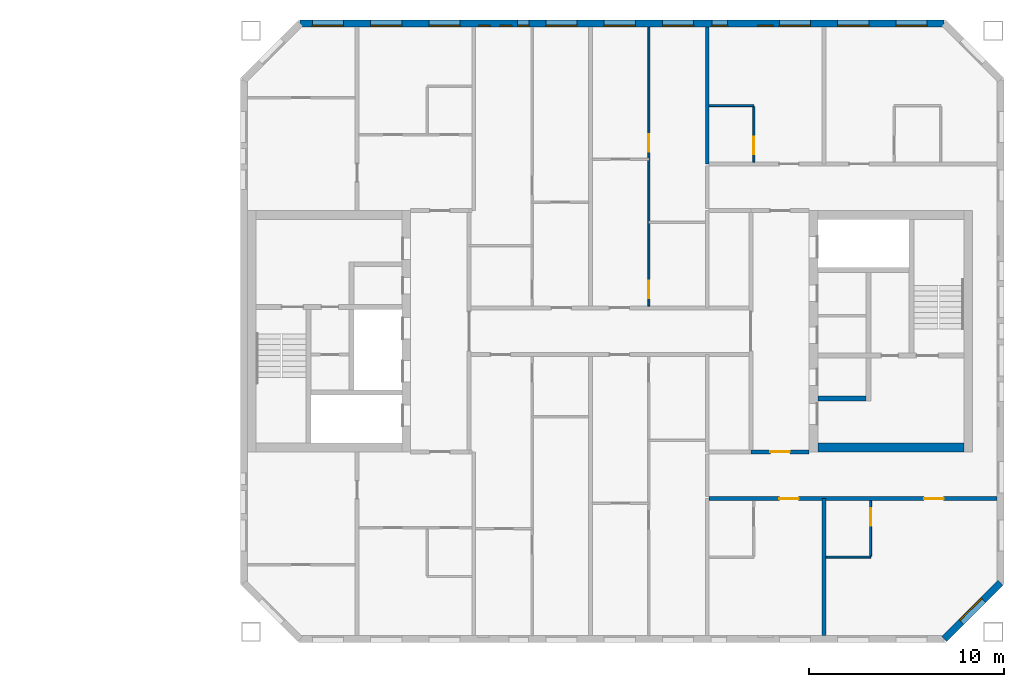
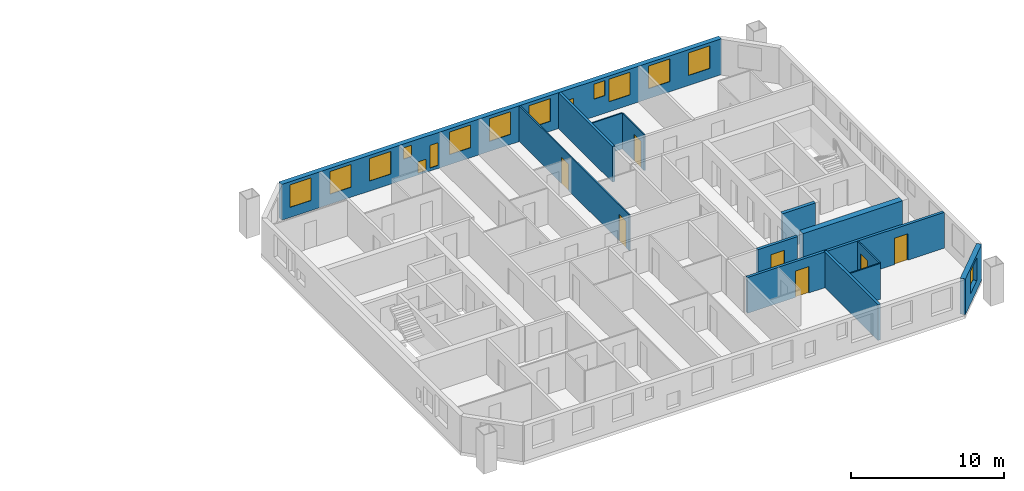
# One storey, part 11 of 15: 15 windows, 13 walls, 7 doors, 22 openings.
"""IFC4 building model written with IfcOpenShell, lengths in metres."""

import ifcopenshell
import ifcopenshell.guid

model = None  # the IFC model being written
_history = None  # IfcOwnerHistory: only IFC2X3 demands one
_inside = {}  # id of a spatial element -> (the spatial element, [elements in it])
_under = {}  # id of a project, library or spatial element -> (it, [spatial elements below it])
_declared = {}  # id of a project -> (the project, [libraries it declares])
_typed = {}  # id of a type object -> (the type object, [elements of that type])
_made_of = {}  # id of a material, layer set ... -> (it, [elements and type objects made of it])


def new_model(schema):
    """Start an empty IFC model of exactly this schema.

    Asked for "IFC4X3", IfcOpenShell would pick the latest addendum, in which some entities
    have other attributes; the version numbers below select the first issue.
    IFC2X3 requires an IfcOwnerHistory on every rooted entity: one is made here for all.
    """
    global model, _history
    if schema == "IFC4X3":
        model = ifcopenshell.file(schema_version=(4, 3, 0, 0))
    else:
        model = ifcopenshell.file(schema=schema)
    _inside.clear()
    _under.clear()
    _declared.clear()
    _typed.clear()
    _made_of.clear()
    _history = None
    if model.schema == "IFC2X3":
        org = make("IfcOrganization", Name="unknown")
        user = make(
            "IfcPersonAndOrganization",
            ThePerson=make("IfcPerson", FamilyName="unknown"),
            TheOrganization=org,
        )
        app = make(
            "IfcApplication",
            ApplicationDeveloper=org,
            Version="unknown",
            ApplicationFullName="unknown",
            ApplicationIdentifier="unknown",
        )
        _history = make(
            "IfcOwnerHistory",
            OwningUser=user,
            OwningApplication=app,
            ChangeAction="ADDED",
            CreationDate=0,
        )
    return model


def make(cls, **values):
    """One entity of the class cls with the attributes given. An attribute that is None is left unset."""
    return model.create_entity(
        cls, **{name: value for name, value in values.items() if value is not None}
    )


def rooted(cls, **values):
    """An entity with a GlobalId (a new one), such as an element, a storey or a relation."""
    return make(cls, GlobalId=ifcopenshell.guid.new(), OwnerHistory=_history, **values)


def si_unit(unit_type, name, prefix=None):
    """IfcSIUnit, for example si_unit("LENGTHUNIT", "METRE", prefix="MILLI")."""
    return make("IfcSIUnit", UnitType=unit_type, Prefix=prefix, Name=name)


def assignment(units):
    """IfcUnitAssignment: the units of a project."""
    return None if units is None else make("IfcUnitAssignment", Units=units)


def point(xyz):
    """IfcCartesianPoint."""
    return None if xyz is None else make("IfcCartesianPoint", Coordinates=xyz)


def direction(xyz):
    """IfcDirection."""
    return None if xyz is None else make("IfcDirection", DirectionRatios=xyz)


def frame(location, z_axis=None, x_axis=None):
    """IfcAxis2Placement3D, a coordinate frame: its origin and axes. An axis left out is left unset."""
    return make(
        "IfcAxis2Placement3D",
        Location=point(location),
        Axis=direction(z_axis),
        RefDirection=direction(x_axis),
    )


def frame_2d(location, x_axis=None):
    """IfcAxis2Placement2D, a coordinate frame in the plane: its origin and x axis."""
    return make(
        "IfcAxis2Placement2D", Location=point(location), RefDirection=direction(x_axis)
    )


def origin():
    """The frame at (0, 0, 0) with its axes left unset."""
    return frame((0.0, 0.0, 0.0))


def place(relative_to, where):
    """IfcLocalPlacement: puts the frame where relative to a parent placement (None: the world)."""
    return make(
        "IfcLocalPlacement", PlacementRelTo=relative_to, RelativePlacement=where
    )


def context(
    kind, dimensions, precision=None, world=None, true_north=None, identifier=None
):
    """IfcGeometricRepresentationContext, for example the 3D "Model" context."""
    return make(
        "IfcGeometricRepresentationContext",
        ContextIdentifier=identifier,
        ContextType=kind,
        CoordinateSpaceDimension=dimensions,
        Precision=precision,
        WorldCoordinateSystem=world,
        TrueNorth=true_north,
    )


def subcontext(parent, identifier, kind, view, scale=None):
    """IfcGeometricRepresentationSubContext, for example "Body" below "Model"."""
    return make(
        "IfcGeometricRepresentationSubContext",
        ContextIdentifier=identifier,
        ContextType=kind,
        ParentContext=parent,
        TargetScale=scale,
        TargetView=view,
    )


def project(units=None, contexts=None):
    """IfcProject with its units and contexts."""
    return rooted(
        "IfcProject",
        Name="project",
        RepresentationContexts=contexts,
        UnitsInContext=assignment(units),
    )


def spatial(cls, under=None, at=None, **own):
    """A site, building, storey or space (cls), placed at a placement, below another one or the project."""
    s = rooted(cls, ObjectPlacement=at, **own)
    if under is not None:
        _under.setdefault(under.id(), (under, []))[1].append(s)
    return s


def profile(cls, at=None, kind="AREA", **sizes):
    """A parametric profile (cls). Its sizes go by their IFC names, for example OverallWidth=200.0."""
    return make(cls, ProfileType=kind, Position=at, **sizes)


def rectangle(**sizes):
    """IfcRectangleProfileDef."""
    return profile("IfcRectangleProfileDef", **sizes)


def extrude(swept, where, along, depth):
    """IfcExtrudedAreaSolid: the profile swept, set in the frame where, extruded along a direction by depth."""
    return make(
        "IfcExtrudedAreaSolid",
        SweptArea=swept,
        Position=where,
        ExtrudedDirection=direction(along),
        Depth=depth,
    )


def shape(context_of_items, identifier, shape_type, items):
    """IfcShapeRepresentation: the items that make up one representation, for example the "Body"."""
    return make(
        "IfcShapeRepresentation",
        ContextOfItems=context_of_items,
        RepresentationIdentifier=identifier,
        RepresentationType=shape_type,
        Items=items,
    )


def material(Name=None, Category=None):
    """IfcMaterial."""
    return make("IfcMaterial", Name=Name, Category=Category)


def layer(
    of_material, thickness, ventilated=None, Name=None, Category=None, Priority=None
):
    """IfcMaterialLayer: one layer of a wall or slab, of a material (None: an air gap)."""
    return make(
        "IfcMaterialLayer",
        Material=of_material,
        LayerThickness=thickness,
        IsVentilated=ventilated,
        Name=Name,
        Category=Category,
        Priority=Priority,
    )


def layer_set(layers, Name=None):
    """IfcMaterialLayerSet."""
    return make("IfcMaterialLayerSet", MaterialLayers=layers, LayerSetName=Name)


def made_of(thing, what):
    """Note that an element or type object is made of a material, layer set ...; save() writes the relation."""
    if what is not None:
        _made_of.setdefault(what.id(), (what, []))[1].append(thing)
    return thing


def type_object(cls, material=None, **own):
    """A type object (cls), such as IfcWallType, which elements share."""
    return made_of(rooted(cls, **own), material)


def element(
    cls,
    number,
    at=None,
    inside=None,
    cuts=None,
    type_object=None,
    material=None,
    context=None,
    identifier="Body",
    shape_type=None,
    held_by="IfcProductDefinitionShape",
    body=None,
    shapes=None,
    **own,
):
    """One element of the class cls, such as IfcWall. Its Tag is "e" and its number.

    at: its placement. inside: the storey or other place that contains it. cuts: it is an
    opening in that element (IfcRelVoidsElement). A single representation is given by context,
    identifier, shape_type and body (its items); several are given by shapes. held_by: the class
    of the entity that holds the representations. save() writes the other relations.
    """
    e = rooted(cls, Tag="e%d" % number, ObjectPlacement=at, **own)
    if body is not None:
        shapes = [shape(context, identifier, shape_type, body)]
    if shapes is not None:
        e.Representation = make(held_by, Representations=shapes)
    if inside is not None:
        _inside.setdefault(inside.id(), (inside, []))[1].append(e)
    if cuts is not None:
        rooted(
            "IfcRelVoidsElement", RelatingBuildingElement=cuts, RelatedOpeningElement=e
        )
    if type_object is not None:
        _typed.setdefault(type_object.id(), (type_object, []))[1].append(e)
    return made_of(e, material)


def fill(opening, filler):
    """IfcRelFillsElement: the door or window that sits in an opening."""
    return rooted(
        "IfcRelFillsElement",
        RelatingOpeningElement=opening,
        RelatedBuildingElement=filler,
    )


def aggregate(whole, parts):
    """IfcRelAggregates: a whole, such as a stair, and the parts it consists of."""
    return rooted("IfcRelAggregates", RelatingObject=whole, RelatedObjects=parts)


def save(model, path):
    """Write the relations noted so far, then the file.

    IfcRelAggregates (storeys below a building ...), IfcRelContainedInSpatialStructure (elements
    in a storey), IfcRelDefinesByType, IfcRelAssociatesMaterial and IfcRelDeclares: one each for
    every whole, place, type object, material and project.
    """
    for whole, parts in _under.values():
        aggregate(whole, parts)
    for where, things in _inside.values():
        rooted(
            "IfcRelContainedInSpatialStructure",
            RelatedElements=things,
            RelatingStructure=where,
        )
    for kind, things in _typed.values():
        rooted("IfcRelDefinesByType", RelatedObjects=things, RelatingType=kind)
    for what, things in _made_of.values():
        rooted("IfcRelAssociatesMaterial", RelatedObjects=things, RelatingMaterial=what)
    for by, libraries in _declared.values():
        rooted("IfcRelDeclares", RelatingContext=by, RelatedDefinitions=libraries)
    model.write(path)


model = new_model("IFC4")

# Units and contexts
model_context = context("Model", 3, precision=1e-05, world=origin(), true_north=direction((0.0, 1.0)))
body_context = subcontext(model_context, "Body", "Model", "MODEL_VIEW")
ifc_project = project(units=[si_unit("LENGTHUNIT", "METRE"), si_unit("AREAUNIT", "SQUARE_METRE"), si_unit("VOLUMEUNIT", "CUBIC_METRE"), si_unit("PLANEANGLEUNIT", "RADIAN"), si_unit("MASSUNIT", "GRAM", prefix="KILO")], contexts=[model_context])

# Site, building, storey
site_placement = place(None, origin())
site = spatial("IfcSite", under=ifc_project, at=site_placement, CompositionType="ELEMENT")
building_placement = place(site_placement, origin())
building = spatial("IfcBuilding", under=site, at=building_placement, Name="Tuart Gate Housing", CompositionType="ELEMENT")
storey_placement = place(building_placement, frame((0.0, 0.0, 185.10009765625)))
storey = spatial("IfcBuildingStorey", under=building, at=storey_placement, Name="L52", CompositionType="ELEMENT", Elevation=185.10009765625)

# Wall, opening, window
ifc_material_1 = material(Name="Brick", Category="masonry")
ifc_layer_1 = layer(ifc_material_1, 0.360107421875)
ifc_layer_set_1 = layer_set([ifc_layer_1], Name="Brick pier and spandrel wall 360")
wall_type_1 = type_object("IfcWallType", Name="Brick pier and spandrel wall 360", PredefinedType="STANDARD", material=ifc_layer_set_1)
wall_1_placement = place(storey_placement, frame((167.17529296875, 54.179931640625, 0.0), z_axis=(0.0, 0.0, 1.0), x_axis=(0.707106781187, 0.707106781187, 0.0)))
wall_1 = element("IfcWall", 1, at=wall_1_placement, inside=storey, type_object=wall_type_1, Name="External wall B-SE L52", PredefinedType="STANDARD", context=body_context, shape_type="SweptSolid", body=[
    extrude(rectangle(XDim=4.09375, YDim=0.360107421875, at=frame_2d((2.046875, 0.0))), origin(), (0.0, 0.0, 1.0), 2.849853515625),
])
opening_1_placement = place(wall_1_placement, frame((1.2470703125, 0.0, 0.800048828125)))
opening_1 = element("IfcOpeningElement", 2, at=opening_1_placement, cuts=wall_1, Name="Opening W1", PredefinedType="OPENING", context=body_context, shape_type="SweptSolid", body=[
    extrude(rectangle(XDim=1.60009765625, YDim=1.800048828125, at=frame_2d((0.800048828125, 0.89990234375))), frame((0.0, 0.18994140625, 0.0), z_axis=(0.0, -1.0, 0.0), x_axis=(1.0, 0.0, 0.0)), (0.0, 0.0, 1.0), 0.380126953125),
])
ifc_material_2 = material(Name="Aluminium frame with clear glass", Category="aluminium")
window_type_1 = type_object("IfcWindowType", Name="Punched window 1600 x 1800", PartitioningType="SINGLE_PANEL", PredefinedType="WINDOW", material=ifc_material_2)
window_1_placement = place(opening_1_placement, origin())
window_1 = element("IfcWindow", 3, at=window_1_placement, inside=storey, type_object=window_type_1, Name="Window W1", OverallHeight=1.800048828125, OverallWidth=1.60009765625, PartitioningType="SINGLE_PANEL", PredefinedType="WINDOW", context=body_context, shape_type="SweptSolid", body=[
    extrude(rectangle(XDim=1.60009765625, YDim=1.800048828125, at=frame_2d((0.800048828125, 0.89990234375))), frame((0.0, 0.150146484375, 0.0), z_axis=(0.0, -1.0, 0.0), x_axis=(1.0, 0.0, 0.0)), (0.0, 0.0, 1.0), 0.06005859375),
])
fill(opening_1, window_1)

# Wall, openings, windows
wall_2_placement = place(storey_placement, frame((167.17529296875, 85.820068359375, 0.0), z_axis=(0.0, 0.0, 1.0), x_axis=(-1.0, 0.0, 0.0)))
wall_2 = element("IfcWall", 4, at=wall_2_placement, inside=storey, type_object=wall_type_1, Name="External wall B-N L52", PredefinedType="STANDARD", context=body_context, shape_type="SweptSolid", body=[
    extrude(rectangle(XDim=33.100830078125, YDim=0.360107421875, at=frame_2d((16.55029296875, 0.0))), origin(), (0.0, 0.0, 1.0), 2.849853515625),
])
opening_2_placement = place(wall_2_placement, frame((0.87548828125, 0.0, 0.800048828125)))
opening_2 = element("IfcOpeningElement", 5, at=opening_2_placement, cuts=wall_2, Name="Opening W1", PredefinedType="OPENING", context=body_context, shape_type="SweptSolid", body=[
    extrude(rectangle(XDim=1.60009765625, YDim=1.800048828125, at=frame_2d((0.800048828125, 0.89990234375))), frame((0.0, 0.18994140625, 0.0), z_axis=(0.0, -1.0, 0.0), x_axis=(1.0, 0.0, 0.0)), (0.0, 0.0, 1.0), 0.380126953125),
])
opening_3_placement = place(wall_2_placement, frame((3.87548828125, 0.0, 0.800048828125)))
opening_3 = element("IfcOpeningElement", 6, at=opening_3_placement, cuts=wall_2, Name="Opening W1", PredefinedType="OPENING", context=body_context, shape_type="SweptSolid", body=[
    extrude(rectangle(XDim=1.60009765625, YDim=1.800048828125, at=frame_2d((0.800048828125, 0.89990234375))), frame((0.0, 0.18994140625, 0.0), z_axis=(0.0, -1.0, 0.0), x_axis=(1.0, 0.0, 0.0)), (0.0, 0.0, 1.0), 0.380126953125),
])
opening_4_placement = place(wall_2_placement, frame((6.87548828125, 0.0, 0.800048828125)))
opening_4 = element("IfcOpeningElement", 7, at=opening_4_placement, cuts=wall_2, Name="Opening W1", PredefinedType="OPENING", context=body_context, shape_type="SweptSolid", body=[
    extrude(rectangle(XDim=1.60009765625, YDim=1.800048828125, at=frame_2d((0.800048828125, 0.89990234375))), frame((0.0, 0.18994140625, 0.0), z_axis=(0.0, -1.0, 0.0), x_axis=(1.0, 0.0, 0.0)), (0.0, 0.0, 1.0), 0.380126953125),
])
opening_5_placement = place(wall_2_placement, frame((8.775390625, 0.0, 1.39990234375)))
opening_5 = element("IfcOpeningElement", 8, at=opening_5_placement, cuts=wall_2, Name="Opening W1P", PredefinedType="OPENING", context=body_context, shape_type="SweptSolid", body=[
    extrude(rectangle(XDim=0.800048828125, YDim=1.199951171875, at=frame_2d((0.39990234375, 0.60009765625))), frame((0.0, 0.18994140625, 0.0), z_axis=(0.0, -1.0, 0.0), x_axis=(1.0, 0.0, 0.0)), (0.0, 0.0, 1.0), 0.380126953125),
])
opening_6_placement = place(wall_2_placement, frame((12.87548828125, 0.0, 0.800048828125)))
opening_6 = element("IfcOpeningElement", 9, at=opening_6_placement, cuts=wall_2, Name="Opening W1", PredefinedType="OPENING", context=body_context, shape_type="SweptSolid", body=[
    extrude(rectangle(XDim=1.60009765625, YDim=1.800048828125, at=frame_2d((0.800048828125, 0.89990234375))), frame((0.0, 0.18994140625, 0.0), z_axis=(0.0, -1.0, 0.0), x_axis=(1.0, 0.0, 0.0)), (0.0, 0.0, 1.0), 0.380126953125),
])
opening_7_placement = place(wall_2_placement, frame((15.87548828125, 0.0, 0.800048828125)))
opening_7 = element("IfcOpeningElement", 10, at=opening_7_placement, cuts=wall_2, Name="Opening W1", PredefinedType="OPENING", context=body_context, shape_type="SweptSolid", body=[
    extrude(rectangle(XDim=1.60009765625, YDim=1.800048828125, at=frame_2d((0.800048828125, 0.89990234375))), frame((0.0, 0.18994140625, 0.0), z_axis=(0.0, -1.0, 0.0), x_axis=(1.0, 0.0, 0.0)), (0.0, 0.0, 1.0), 0.380126953125),
])
opening_8_placement = place(wall_2_placement, frame((18.87548828125, 0.0, 0.800048828125)))
opening_8 = element("IfcOpeningElement", 11, at=opening_8_placement, cuts=wall_2, Name="Opening W1", PredefinedType="OPENING", context=body_context, shape_type="SweptSolid", body=[
    extrude(rectangle(XDim=1.60009765625, YDim=1.800048828125, at=frame_2d((0.800048828125, 0.89990234375))), frame((0.0, 0.18994140625, 0.0), z_axis=(0.0, -1.0, 0.0), x_axis=(1.0, 0.0, 0.0)), (0.0, 0.0, 1.0), 0.380126953125),
])
opening_9_placement = place(wall_2_placement, frame((21.325439453125, 0.0, 0.25)))
opening_9 = element("IfcOpeningElement", 12, at=opening_9_placement, cuts=wall_2, Name="Opening W1E", PredefinedType="OPENING", context=body_context, shape_type="SweptSolid", body=[
    extrude(rectangle(XDim=0.60009765625, YDim=1.800048828125, at=frame_2d((0.300048828125, 0.89990234375))), frame((0.0, 0.18994140625, 0.0), z_axis=(0.0, -1.0, 0.0), x_axis=(1.0, 0.0, 0.0)), (0.0, 0.0, 1.0), 0.380126953125),
])
opening_10_placement = place(wall_2_placement, frame((24.87548828125, 0.0, 0.800048828125)))
opening_10 = element("IfcOpeningElement", 13, at=opening_10_placement, cuts=wall_2, Name="Opening W1", PredefinedType="OPENING", context=body_context, shape_type="SweptSolid", body=[
    extrude(rectangle(XDim=1.60009765625, YDim=1.800048828125, at=frame_2d((0.800048828125, 0.89990234375))), frame((0.0, 0.18994140625, 0.0), z_axis=(0.0, -1.0, 0.0), x_axis=(1.0, 0.0, 0.0)), (0.0, 0.0, 1.0), 0.380126953125),
])
opening_11_placement = place(wall_2_placement, frame((27.87548828125, 0.0, 0.800048828125)))
opening_11 = element("IfcOpeningElement", 14, at=opening_11_placement, cuts=wall_2, Name="Opening W1", PredefinedType="OPENING", context=body_context, shape_type="SweptSolid", body=[
    extrude(rectangle(XDim=1.60009765625, YDim=1.800048828125, at=frame_2d((0.800048828125, 0.89990234375))), frame((0.0, 0.18994140625, 0.0), z_axis=(0.0, -1.0, 0.0), x_axis=(1.0, 0.0, 0.0)), (0.0, 0.0, 1.0), 0.380126953125),
])
opening_12_placement = place(wall_2_placement, frame((30.87548828125, 0.0, 0.800048828125)))
opening_12 = element("IfcOpeningElement", 15, at=opening_12_placement, cuts=wall_2, Name="Opening W1", PredefinedType="OPENING", context=body_context, shape_type="SweptSolid", body=[
    extrude(rectangle(XDim=1.60009765625, YDim=1.800048828125, at=frame_2d((0.800048828125, 0.89990234375))), frame((0.0, 0.18994140625, 0.0), z_axis=(0.0, -1.0, 0.0), x_axis=(1.0, 0.0, 0.0)), (0.0, 0.0, 1.0), 0.380126953125),
])
opening_13_placement = place(wall_2_placement, frame((11.12548828125, 0.0, 0.800048828125)))
opening_13 = element("IfcOpeningElement", 16, at=opening_13_placement, cuts=wall_2, Name="Opening W1P", PredefinedType="OPENING", context=body_context, shape_type="SweptSolid", body=[
    extrude(rectangle(XDim=0.800048828125, YDim=1.199951171875, at=frame_2d((0.39990234375, 0.60009765625))), frame((0.0, 0.18994140625, 0.0), z_axis=(0.0, -1.0, 0.0), x_axis=(1.0, 0.0, 0.0)), (0.0, 0.0, 1.0), 0.380126953125),
])
opening_14_placement = place(wall_2_placement, frame((22.225341796875, 0.0, 0.14990234375)))
opening_14 = element("IfcOpeningElement", 17, at=opening_14_placement, cuts=wall_2, Name="Opening W1W", PredefinedType="OPENING", context=body_context, shape_type="SweptSolid", body=[
    extrude(rectangle(XDim=0.60009765625, YDim=0.89990234375, at=frame_2d((0.300048828125, 0.449951171875))), frame((0.0, 0.18994140625, 0.0), z_axis=(0.0, -1.0, 0.0), x_axis=(1.0, 0.0, 0.0)), (0.0, 0.0, 1.0), 0.380126953125),
])
opening_15_placement = place(wall_2_placement, frame((23.325439453125, 0.0, 1.64990234375)))
opening_15 = element("IfcOpeningElement", 18, at=opening_15_placement, cuts=wall_2, Name="Opening W1W", PredefinedType="OPENING", context=body_context, shape_type="SweptSolid", body=[
    extrude(rectangle(XDim=0.60009765625, YDim=0.89990234375, at=frame_2d((0.300048828125, 0.449951171875))), frame((0.0, 0.18994140625, 0.0), z_axis=(0.0, -1.0, 0.0), x_axis=(1.0, 0.0, 0.0)), (0.0, 0.0, 1.0), 0.380126953125),
])
window_2_placement = place(opening_2_placement, origin())
window_2 = element("IfcWindow", 19, at=window_2_placement, inside=storey, type_object=window_type_1, Name="Window W1", OverallHeight=1.800048828125, OverallWidth=1.60009765625, PartitioningType="SINGLE_PANEL", PredefinedType="WINDOW", context=body_context, shape_type="SweptSolid", body=[
    extrude(rectangle(XDim=1.60009765625, YDim=1.800048828125, at=frame_2d((0.800048828125, 0.89990234375))), frame((0.0, 0.150146484375, 0.0), z_axis=(0.0, -1.0, 0.0), x_axis=(1.0, 0.0, 0.0)), (0.0, 0.0, 1.0), 0.06005859375),
])
fill(opening_2, window_2)
window_3_placement = place(opening_3_placement, origin())
window_3 = element("IfcWindow", 20, at=window_3_placement, inside=storey, type_object=window_type_1, Name="Window W1", OverallHeight=1.800048828125, OverallWidth=1.60009765625, PartitioningType="SINGLE_PANEL", PredefinedType="WINDOW", context=body_context, shape_type="SweptSolid", body=[
    extrude(rectangle(XDim=1.60009765625, YDim=1.800048828125, at=frame_2d((0.800048828125, 0.89990234375))), frame((0.0, 0.150146484375, 0.0), z_axis=(0.0, -1.0, 0.0), x_axis=(1.0, 0.0, 0.0)), (0.0, 0.0, 1.0), 0.06005859375),
])
fill(opening_3, window_3)
window_4_placement = place(opening_4_placement, origin())
window_4 = element("IfcWindow", 21, at=window_4_placement, inside=storey, type_object=window_type_1, Name="Window W1", OverallHeight=1.800048828125, OverallWidth=1.60009765625, PartitioningType="SINGLE_PANEL", PredefinedType="WINDOW", context=body_context, shape_type="SweptSolid", body=[
    extrude(rectangle(XDim=1.60009765625, YDim=1.800048828125, at=frame_2d((0.800048828125, 0.89990234375))), frame((0.0, 0.150146484375, 0.0), z_axis=(0.0, -1.0, 0.0), x_axis=(1.0, 0.0, 0.0)), (0.0, 0.0, 1.0), 0.06005859375),
])
fill(opening_4, window_4)
window_5_placement = place(opening_6_placement, origin())
window_5 = element("IfcWindow", 22, at=window_5_placement, inside=storey, type_object=window_type_1, Name="Window W1", OverallHeight=1.800048828125, OverallWidth=1.60009765625, PartitioningType="SINGLE_PANEL", PredefinedType="WINDOW", context=body_context, shape_type="SweptSolid", body=[
    extrude(rectangle(XDim=1.60009765625, YDim=1.800048828125, at=frame_2d((0.800048828125, 0.89990234375))), frame((0.0, 0.150146484375, 0.0), z_axis=(0.0, -1.0, 0.0), x_axis=(1.0, 0.0, 0.0)), (0.0, 0.0, 1.0), 0.06005859375),
])
fill(opening_6, window_5)
window_6_placement = place(opening_7_placement, origin())
window_6 = element("IfcWindow", 23, at=window_6_placement, inside=storey, type_object=window_type_1, Name="Window W1", OverallHeight=1.800048828125, OverallWidth=1.60009765625, PartitioningType="SINGLE_PANEL", PredefinedType="WINDOW", context=body_context, shape_type="SweptSolid", body=[
    extrude(rectangle(XDim=1.60009765625, YDim=1.800048828125, at=frame_2d((0.800048828125, 0.89990234375))), frame((0.0, 0.150146484375, 0.0), z_axis=(0.0, -1.0, 0.0), x_axis=(1.0, 0.0, 0.0)), (0.0, 0.0, 1.0), 0.06005859375),
])
fill(opening_7, window_6)
window_7_placement = place(opening_8_placement, origin())
window_7 = element("IfcWindow", 24, at=window_7_placement, inside=storey, type_object=window_type_1, Name="Window W1", OverallHeight=1.800048828125, OverallWidth=1.60009765625, PartitioningType="SINGLE_PANEL", PredefinedType="WINDOW", context=body_context, shape_type="SweptSolid", body=[
    extrude(rectangle(XDim=1.60009765625, YDim=1.800048828125, at=frame_2d((0.800048828125, 0.89990234375))), frame((0.0, 0.150146484375, 0.0), z_axis=(0.0, -1.0, 0.0), x_axis=(1.0, 0.0, 0.0)), (0.0, 0.0, 1.0), 0.06005859375),
])
fill(opening_8, window_7)
window_8_placement = place(opening_10_placement, origin())
window_8 = element("IfcWindow", 25, at=window_8_placement, inside=storey, type_object=window_type_1, Name="Window W1", OverallHeight=1.800048828125, OverallWidth=1.60009765625, PartitioningType="SINGLE_PANEL", PredefinedType="WINDOW", context=body_context, shape_type="SweptSolid", body=[
    extrude(rectangle(XDim=1.60009765625, YDim=1.800048828125, at=frame_2d((0.800048828125, 0.89990234375))), frame((0.0, 0.150146484375, 0.0), z_axis=(0.0, -1.0, 0.0), x_axis=(1.0, 0.0, 0.0)), (0.0, 0.0, 1.0), 0.06005859375),
])
fill(opening_10, window_8)
window_9_placement = place(opening_11_placement, origin())
window_9 = element("IfcWindow", 26, at=window_9_placement, inside=storey, type_object=window_type_1, Name="Window W1", OverallHeight=1.800048828125, OverallWidth=1.60009765625, PartitioningType="SINGLE_PANEL", PredefinedType="WINDOW", context=body_context, shape_type="SweptSolid", body=[
    extrude(rectangle(XDim=1.60009765625, YDim=1.800048828125, at=frame_2d((0.800048828125, 0.89990234375))), frame((0.0, 0.150146484375, 0.0), z_axis=(0.0, -1.0, 0.0), x_axis=(1.0, 0.0, 0.0)), (0.0, 0.0, 1.0), 0.06005859375),
])
fill(opening_11, window_9)
window_10_placement = place(opening_12_placement, origin())
window_10 = element("IfcWindow", 27, at=window_10_placement, inside=storey, type_object=window_type_1, Name="Window W1", OverallHeight=1.800048828125, OverallWidth=1.60009765625, PartitioningType="SINGLE_PANEL", PredefinedType="WINDOW", context=body_context, shape_type="SweptSolid", body=[
    extrude(rectangle(XDim=1.60009765625, YDim=1.800048828125, at=frame_2d((0.800048828125, 0.89990234375))), frame((0.0, 0.150146484375, 0.0), z_axis=(0.0, -1.0, 0.0), x_axis=(1.0, 0.0, 0.0)), (0.0, 0.0, 1.0), 0.06005859375),
])
fill(opening_12, window_10)
ifc_material_3 = material(Name="Aluminium frame with clear glass", Category="aluminium")
window_type_2 = type_object("IfcWindowType", Name="Punched window 600 x 1800", PartitioningType="SINGLE_PANEL", PredefinedType="WINDOW", material=ifc_material_3)
window_11_placement = place(opening_9_placement, origin())
window_11 = element("IfcWindow", 28, at=window_11_placement, inside=storey, type_object=window_type_2, Name="Window W1E", OverallHeight=1.800048828125, OverallWidth=0.60009765625, PartitioningType="SINGLE_PANEL", PredefinedType="WINDOW", context=body_context, shape_type="SweptSolid", body=[
    extrude(rectangle(XDim=0.60009765625, YDim=1.800048828125, at=frame_2d((0.300048828125, 0.89990234375))), frame((0.0, 0.150146484375, 0.0), z_axis=(0.0, -1.0, 0.0), x_axis=(1.0, 0.0, 0.0)), (0.0, 0.0, 1.0), 0.06005859375),
])
fill(opening_9, window_11)
ifc_material_4 = material(Name="Aluminium frame with clear glass", Category="aluminium")
window_type_3 = type_object("IfcWindowType", Name="Punched window 600 x 900", PartitioningType="SINGLE_PANEL", PredefinedType="WINDOW", material=ifc_material_4)
window_12_placement = place(opening_14_placement, origin())
window_12 = element("IfcWindow", 29, at=window_12_placement, inside=storey, type_object=window_type_3, Name="Window W1W", OverallHeight=0.89990234375, OverallWidth=0.60009765625, PartitioningType="SINGLE_PANEL", PredefinedType="WINDOW", context=body_context, shape_type="SweptSolid", body=[
    extrude(rectangle(XDim=0.60009765625, YDim=0.89990234375, at=frame_2d((0.300048828125, 0.449951171875))), frame((0.0, 0.150146484375, 0.0), z_axis=(0.0, -1.0, 0.0), x_axis=(1.0, 0.0, 0.0)), (0.0, 0.0, 1.0), 0.06005859375),
])
fill(opening_14, window_12)
window_13_placement = place(opening_15_placement, origin())
window_13 = element("IfcWindow", 30, at=window_13_placement, inside=storey, type_object=window_type_3, Name="Window W1W", OverallHeight=0.89990234375, OverallWidth=0.60009765625, PartitioningType="SINGLE_PANEL", PredefinedType="WINDOW", context=body_context, shape_type="SweptSolid", body=[
    extrude(rectangle(XDim=0.60009765625, YDim=0.89990234375, at=frame_2d((0.300048828125, 0.449951171875))), frame((0.0, 0.150146484375, 0.0), z_axis=(0.0, -1.0, 0.0), x_axis=(1.0, 0.0, 0.0)), (0.0, 0.0, 1.0), 0.06005859375),
])
fill(opening_15, window_13)
ifc_material_5 = material(Name="Aluminium frame with clear glass", Category="aluminium")
window_type_4 = type_object("IfcWindowType", Name="Punched window 800 x 1200", PartitioningType="SINGLE_PANEL", PredefinedType="WINDOW", material=ifc_material_5)
window_14_placement = place(opening_5_placement, origin())
window_14 = element("IfcWindow", 31, at=window_14_placement, inside=storey, type_object=window_type_4, Name="Window W1P", OverallHeight=1.199951171875, OverallWidth=0.800048828125, PartitioningType="SINGLE_PANEL", PredefinedType="WINDOW", context=body_context, shape_type="SweptSolid", body=[
    extrude(rectangle(XDim=0.800048828125, YDim=1.199951171875, at=frame_2d((0.39990234375, 0.60009765625))), frame((0.0, 0.150146484375, 0.0), z_axis=(0.0, -1.0, 0.0), x_axis=(1.0, 0.0, 0.0)), (0.0, 0.0, 1.0), 0.06005859375),
])
fill(opening_5, window_14)
window_15_placement = place(opening_13_placement, origin())
window_15 = element("IfcWindow", 32, at=window_15_placement, inside=storey, type_object=window_type_4, Name="Window W1P", OverallHeight=1.199951171875, OverallWidth=0.800048828125, PartitioningType="SINGLE_PANEL", PredefinedType="WINDOW", context=body_context, shape_type="SweptSolid", body=[
    extrude(rectangle(XDim=0.800048828125, YDim=1.199951171875, at=frame_2d((0.39990234375, 0.60009765625))), frame((0.0, 0.150146484375, 0.0), z_axis=(0.0, -1.0, 0.0), x_axis=(1.0, 0.0, 0.0)), (0.0, 0.0, 1.0), 0.06005859375),
])
fill(opening_13, window_15)

# Walls
ifc_material_6 = material(Name="Concrete C40", Category="concrete")
ifc_layer_2 = layer(ifc_material_6, 0.25)
ifc_layer_set_2 = layer_set([ifc_layer_2], Name="Core wall 250 C40")
wall_type_2 = type_object("IfcWallType", Name="Core wall 250 C40", PredefinedType="SHEAR", material=ifc_layer_set_2)
wall_3_placement = place(storey_placement, frame((160.68994140625, 66.550048828125, 0.0), z_axis=(0.0, 0.0, 1.0), x_axis=(1.0, 0.0, 0.0)))
element("IfcWall", 33, at=wall_3_placement, inside=storey, type_object=wall_type_2, Name="Core wall BK.4", PredefinedType="SHEAR", context=body_context, shape_type="SweptSolid", body=[
    extrude(rectangle(XDim=2.47509765625, YDim=0.25, at=frame_2d((1.237548828125, 0.0))), origin(), (0.0, 0.0, 1.0), 2.849853515625),
])
ifc_material_7 = material(Name="Concrete C40", Category="concrete")
ifc_layer_3 = layer(ifc_material_7, 0.449951171875)
ifc_layer_set_3 = layer_set([ifc_layer_3], Name="Core wall 450 C40")
wall_type_3 = type_object("IfcWallType", Name="Core wall 450 C40", PredefinedType="SHEAR", material=ifc_layer_set_3)
wall_4_placement = place(storey_placement, frame((160.68994140625, 64.02490234375, 0.0), z_axis=(0.0, 0.0, 1.0), x_axis=(1.0, 0.0, 0.0)))
element("IfcWall", 34, at=wall_4_placement, inside=storey, type_object=wall_type_3, Name="Core wall BK north", PredefinedType="SHEAR", context=body_context, shape_type="SweptSolid", body=[
    extrude(rectangle(XDim=7.5, YDim=0.449951171875, at=frame_2d((3.75, 0.0))), origin(), (0.0, 0.0, 1.0), 2.849853515625),
])

# Wall, openings, doors
ifc_material_8 = material(Name="Concrete masonry 15 MPa", Category="masonry")
ifc_layer_4 = layer(ifc_material_8, 0.199951171875)
ifc_layer_set_4 = layer_set([ifc_layer_4], Name="Corridor wall masonry 200")
wall_type_4 = type_object("IfcWallType", Name="Corridor wall masonry 200", PredefinedType="PARTITIONING", material=ifc_layer_set_4)
wall_5_placement = place(storey_placement, frame((155.10009765625, 61.39990234375, 0.0), z_axis=(0.0, 0.0, 1.0), x_axis=(1.0, 0.0, 0.0)))
wall_5 = element("IfcWall", 35, at=wall_5_placement, inside=storey, type_object=wall_type_4, Name="Corridor wall masonry 200", PredefinedType="PARTITIONING", context=body_context, shape_type="SweptSolid", body=[
    extrude(rectangle(XDim=14.789794921875, YDim=0.199951171875, at=frame_2d((7.39501953125, 0.0))), origin(), (0.0, 0.0, 1.0), 2.849853515625),
])
opening_16_placement = place(wall_5_placement, frame((3.60009765625, 0.0, 0.0)))
opening_16 = element("IfcOpeningElement", 36, at=opening_16_placement, cuts=wall_5, Name="Opening D1936", PredefinedType="OPENING", context=body_context, shape_type="SweptSolid", body=[
    extrude(rectangle(XDim=1.0, YDim=2.10009765625, at=frame_2d((0.5, 1.050048828125))), frame((0.0, 0.10986328125, 0.0), z_axis=(0.0, -1.0, 0.0), x_axis=(1.0, 0.0, 0.0)), (0.0, 0.0, 1.0), 0.219970703125),
])
opening_17_placement = place(wall_5_placement, frame((11.044921875, 0.0, 0.0)))
opening_17 = element("IfcOpeningElement", 37, at=opening_17_placement, cuts=wall_5, Name="Opening D1937", PredefinedType="OPENING", context=body_context, shape_type="SweptSolid", body=[
    extrude(rectangle(XDim=1.0, YDim=2.10009765625, at=frame_2d((0.5, 1.050048828125))), frame((0.0, 0.10986328125, 0.0), z_axis=(0.0, -1.0, 0.0), x_axis=(1.0, 0.0, 0.0)), (0.0, 0.0, 1.0), 0.219970703125),
])
ifc_material_9 = material(Name="Timber door leaf in steel frame", Category="steel")
door_type_1 = type_object("IfcDoorType", Name="Flat entrance door 1000 RH", OperationType="SINGLE_SWING_RIGHT", PredefinedType="DOOR", material=ifc_material_9)
door_1_placement = place(opening_16_placement, frame((1.0, 0.0, 0.0), z_axis=(0.0, 0.0, 1.0), x_axis=(-1.0, 0.0, 0.0)))
door_1 = element("IfcDoor", 38, at=door_1_placement, inside=storey, type_object=door_type_1, Name="Flat entrance door", OperationType="SINGLE_SWING_RIGHT", OverallHeight=2.10009765625, OverallWidth=1.0, PredefinedType="DOOR", context=body_context, shape_type="SweptSolid", body=[
    extrude(rectangle(XDim=1.0, YDim=2.10009765625, at=frame_2d((0.5, 1.050048828125))), frame((0.0, 0.025146484375, 0.0), z_axis=(0.0, -1.0, 0.0), x_axis=(1.0, 0.0, 0.0)), (0.0, 0.0, 1.0), 0.050048828125),
])
fill(opening_16, door_1)
door_2_placement = place(opening_17_placement, frame((1.0, 0.0, 0.0), z_axis=(0.0, 0.0, 1.0), x_axis=(-1.0, 0.0, 0.0)))
door_2 = element("IfcDoor", 39, at=door_2_placement, inside=storey, type_object=door_type_1, Name="Flat entrance door", OperationType="SINGLE_SWING_RIGHT", OverallHeight=2.10009765625, OverallWidth=1.0, PredefinedType="DOOR", context=body_context, shape_type="SweptSolid", body=[
    extrude(rectangle(XDim=1.0, YDim=2.10009765625, at=frame_2d((0.5, 1.050048828125))), frame((0.0, 0.025146484375, 0.0), z_axis=(0.0, -1.0, 0.0), x_axis=(1.0, 0.0, 0.0)), (0.0, 0.0, 1.0), 0.050048828125),
])
fill(opening_17, door_2)

# Wall, opening, door
ifc_material_10 = material(Name="Concrete masonry 15 MPa", Category="masonry")
ifc_layer_5 = layer(ifc_material_10, 0.199951171875)
ifc_layer_set_5 = layer_set([ifc_layer_5], Name="Enclosure wall masonry 200")
wall_type_5 = type_object("IfcWallType", Name="Enclosure wall masonry 200", PredefinedType="PARTITIONING", material=ifc_layer_set_5)
wall_6_placement = place(storey_placement, frame((157.239990234375, 63.800048828125, 0.0), z_axis=(0.0, 0.0, 1.0), x_axis=(1.0, 0.0, 0.0)))
wall_6 = element("IfcWall", 40, at=wall_6_placement, inside=storey, type_object=wall_type_5, Name="Enclosure wall masonry 200", PredefinedType="PARTITIONING", context=body_context, shape_type="SweptSolid", body=[
    extrude(rectangle(XDim=3.0, YDim=0.199951171875, at=frame_2d((1.5, 0.0))), origin(), (0.0, 0.0, 1.0), 2.849853515625),
])
opening_18_placement = place(wall_6_placement, frame((1.0, 0.0, 0.0)))
opening_18 = element("IfcOpeningElement", 41, at=opening_18_placement, cuts=wall_6, Name="Opening D1931", PredefinedType="OPENING", context=body_context, shape_type="SweptSolid", body=[
    extrude(rectangle(XDim=1.0, YDim=2.10009765625, at=frame_2d((0.5, 1.050048828125))), frame((0.0, 0.10986328125, 0.0), z_axis=(0.0, -1.0, 0.0), x_axis=(1.0, 0.0, 0.0)), (0.0, 0.0, 1.0), 0.219970703125),
])
ifc_material_11 = material(Name="Timber door leaf in steel frame", Category="steel")
door_type_2 = type_object("IfcDoorType", Name="Fire door 1000 RH", OperationType="SINGLE_SWING_RIGHT", PredefinedType="DOOR", material=ifc_material_11)
door_3_placement = place(opening_18_placement, frame((1.0, 0.0, 0.0), z_axis=(0.0, 0.0, 1.0), x_axis=(-1.0, 0.0, 0.0)))
door_3 = element("IfcDoor", 42, at=door_3_placement, inside=storey, type_object=door_type_2, Name="Fire door", OperationType="SINGLE_SWING_RIGHT", OverallHeight=2.10009765625, OverallWidth=1.0, PredefinedType="DOOR", context=body_context, shape_type="SweptSolid", body=[
    extrude(rectangle(XDim=1.0, YDim=2.10009765625, at=frame_2d((0.5, 1.050048828125))), frame((0.0, 0.025146484375, 0.0), z_axis=(0.0, -1.0, 0.0), x_axis=(1.0, 0.0, 0.0)), (0.0, 0.0, 1.0), 0.050048828125),
])
fill(opening_18, door_3)

# Walls
ifc_material_12 = material(Name="Gypsum board on steel studs", Category="steel")
ifc_layer_6 = layer(ifc_material_12, 0.10009765625)
ifc_layer_set_6 = layer_set([ifc_layer_6], Name="Partition 100")
wall_type_6 = type_object("IfcWallType", Name="Partition 100", PredefinedType="PARTITIONING", material=ifc_layer_set_6)
for number, where, z_axis, x_axis, name in (
    (43, (161.10009765625, 58.39990234375, 0.0), (0.0, 0.0, 1.0), (1.0, 0.0, 0.0), "Partition 100"),
    (44, (155.10009765625, 81.60009765625, 0.0), (0.0, 0.0, 1.0), (1.0, 0.0, 0.0), "Partition 100"),
):
    element("IfcWall", number, at=place(storey_placement, frame(where, z_axis=z_axis, x_axis=x_axis)), inside=storey, type_object=wall_type_6, Name=name, PredefinedType="PARTITIONING", context=body_context, shape_type="SweptSolid", body=[
        extrude(rectangle(XDim=2.2998046875, YDim=0.10009765625, at=frame_2d((1.14990234375, 0.0))), origin(), (0.0, 0.0, 1.0), 2.849853515625),
    ])

# Wall, openings, doors
wall_7_placement = place(storey_placement, frame((152.0, 71.300048828125, 0.0), z_axis=(0.0, 0.0, 1.0), x_axis=(0.0, 1.0, 0.0)))
wall_7 = element("IfcWall", 45, at=wall_7_placement, inside=storey, type_object=wall_type_6, Name="Partition 100", PredefinedType="PARTITIONING", context=body_context, shape_type="SweptSolid", body=[
    extrude(rectangle(XDim=14.33984375, YDim=0.10009765625, at=frame_2d((7.169921875, 0.0))), origin(), (0.0, 0.0, 1.0), 2.849853515625),
])
opening_19_placement = place(wall_7_placement, frame((7.93994140625, 0.0, 0.0)))
opening_19 = element("IfcOpeningElement", 46, at=opening_19_placement, cuts=wall_7, Name="Opening D1909", PredefinedType="OPENING", context=body_context, shape_type="SweptSolid", body=[
    extrude(rectangle(XDim=0.89990234375, YDim=2.10009765625, at=frame_2d((0.449951171875, 1.050048828125))), frame((0.0, 0.06005859375, 0.0), z_axis=(0.0, -1.0, 0.0), x_axis=(1.0, 0.0, 0.0)), (0.0, 0.0, 1.0), 0.1201171875),
])
opening_20_placement = place(wall_7_placement, frame((0.39990234375, 0.0, 0.0)))
opening_20 = element("IfcOpeningElement", 47, at=opening_20_placement, cuts=wall_7, Name="Opening D1908", PredefinedType="OPENING", context=body_context, shape_type="SweptSolid", body=[
    extrude(rectangle(XDim=0.89990234375, YDim=2.10009765625, at=frame_2d((0.449951171875, 1.050048828125))), frame((0.0, 0.06005859375, 0.0), z_axis=(0.0, -1.0, 0.0), x_axis=(1.0, 0.0, 0.0)), (0.0, 0.0, 1.0), 0.1201171875),
])
ifc_material_13 = material(Name="Timber door leaf in steel frame", Category="steel")
door_type_3 = type_object("IfcDoorType", Name="Bathroom door 900 RH", OperationType="SINGLE_SWING_RIGHT", PredefinedType="DOOR", material=ifc_material_13)
door_4_placement = place(opening_20_placement, frame((0.89990234375, 0.0, 0.0), z_axis=(0.0, 0.0, 1.0), x_axis=(-1.0, 0.0, 0.0)))
door_4 = element("IfcDoor", 48, at=door_4_placement, inside=storey, type_object=door_type_3, Name="Bathroom door", OperationType="SINGLE_SWING_RIGHT", OverallHeight=2.10009765625, OverallWidth=0.89990234375, PredefinedType="DOOR", context=body_context, shape_type="SweptSolid", body=[
    extrude(rectangle(XDim=0.89990234375, YDim=2.10009765625, at=frame_2d((0.449951171875, 1.050048828125))), frame((0.0, 0.025146484375, 0.0), z_axis=(0.0, -1.0, 0.0), x_axis=(1.0, 0.0, 0.0)), (0.0, 0.0, 1.0), 0.050048828125),
])
fill(opening_20, door_4)
ifc_material_14 = material(Name="Timber door leaf in steel frame", Category="steel")
door_type_4 = type_object("IfcDoorType", Name="Internal door 900 RH", OperationType="SINGLE_SWING_RIGHT", PredefinedType="DOOR", material=ifc_material_14)
door_5_placement = place(opening_19_placement, frame((0.89990234375, 0.0, 0.0), z_axis=(0.0, 0.0, 1.0), x_axis=(-1.0, 0.0, 0.0)))
door_5 = element("IfcDoor", 49, at=door_5_placement, inside=storey, type_object=door_type_4, Name="Internal door", OperationType="SINGLE_SWING_RIGHT", OverallHeight=2.10009765625, OverallWidth=0.89990234375, PredefinedType="DOOR", context=body_context, shape_type="SweptSolid", body=[
    extrude(rectangle(XDim=0.89990234375, YDim=2.10009765625, at=frame_2d((0.449951171875, 1.050048828125))), frame((0.0, 0.025146484375, 0.0), z_axis=(0.0, -1.0, 0.0), x_axis=(1.0, 0.0, 0.0)), (0.0, 0.0, 1.0), 0.050048828125),
])
fill(opening_19, door_5)

# Wall, opening, door
wall_8_placement = place(storey_placement, frame((157.39990234375, 78.699951171875, 0.0), z_axis=(0.0, 0.0, 1.0), x_axis=(0.0, 1.0, 0.0)))
wall_8 = element("IfcWall", 50, at=wall_8_placement, inside=storey, type_object=wall_type_6, Name="Partition 100", PredefinedType="PARTITIONING", context=body_context, shape_type="SweptSolid", body=[
    extrude(rectangle(XDim=2.85009765625, YDim=0.10009765625, at=frame_2d((1.425048828125, 0.0))), origin(), (0.0, 0.0, 1.0), 2.849853515625),
])
opening_21_placement = place(wall_8_placement, frame((0.39990234375, 0.0, 0.0)))
opening_21 = element("IfcOpeningElement", 51, at=opening_21_placement, cuts=wall_8, Name="Opening D1899", PredefinedType="OPENING", context=body_context, shape_type="SweptSolid", body=[
    extrude(rectangle(XDim=0.89990234375, YDim=2.10009765625, at=frame_2d((0.449951171875, 1.050048828125))), frame((0.0, 0.06005859375, 0.0), z_axis=(0.0, -1.0, 0.0), x_axis=(1.0, 0.0, 0.0)), (0.0, 0.0, 1.0), 0.1201171875),
])
ifc_material_15 = material(Name="Timber door leaf in steel frame", Category="steel")
door_type_5 = type_object("IfcDoorType", Name="Bathroom door 900", OperationType="SINGLE_SWING_LEFT", PredefinedType="DOOR", material=ifc_material_15)
door_6_placement = place(opening_21_placement, origin())
door_6 = element("IfcDoor", 52, at=door_6_placement, inside=storey, type_object=door_type_5, Name="Bathroom door", OperationType="SINGLE_SWING_LEFT", OverallHeight=2.10009765625, OverallWidth=0.89990234375, PredefinedType="DOOR", context=body_context, shape_type="SweptSolid", body=[
    extrude(rectangle(XDim=0.89990234375, YDim=2.10009765625, at=frame_2d((0.449951171875, 1.050048828125))), frame((0.0, 0.02490234375, 0.0), z_axis=(0.0, -1.0, 0.0), x_axis=(1.0, 0.0, 0.0)), (0.0, 0.0, 1.0), 0.050048828125),
])
fill(opening_21, door_6)

wall_9_placement = place(storey_placement, frame((163.39990234375, 58.449951171875, 0.0), z_axis=(0.0, 0.0, 1.0), x_axis=(0.0, 1.0, 0.0)))
wall_9 = element("IfcWall", 53, at=wall_9_placement, inside=storey, type_object=wall_type_6, Name="Partition 100", PredefinedType="PARTITIONING", context=body_context, shape_type="SweptSolid", body=[
    extrude(rectangle(XDim=2.85009765625, YDim=0.10009765625, at=frame_2d((1.425048828125, 0.0))), origin(), (0.0, 0.0, 1.0), 2.849853515625),
])
opening_22_placement = place(wall_9_placement, frame((1.550048828125, 0.0, 0.0)))
opening_22 = element("IfcOpeningElement", 54, at=opening_22_placement, cuts=wall_9, Name="Opening D1942", PredefinedType="OPENING", context=body_context, shape_type="SweptSolid", body=[
    extrude(rectangle(XDim=0.89990234375, YDim=2.10009765625, at=frame_2d((0.449951171875, 1.050048828125))), frame((0.0, 0.06005859375, 0.0), z_axis=(0.0, -1.0, 0.0), x_axis=(1.0, 0.0, 0.0)), (0.0, 0.0, 1.0), 0.1201171875),
])
door_7_placement = place(opening_22_placement, origin())
door_7 = element("IfcDoor", 55, at=door_7_placement, inside=storey, type_object=door_type_3, Name="Bathroom door", OperationType="SINGLE_SWING_RIGHT", OverallHeight=2.10009765625, OverallWidth=0.89990234375, PredefinedType="DOOR", context=body_context, shape_type="SweptSolid", body=[
    extrude(rectangle(XDim=0.89990234375, YDim=2.10009765625, at=frame_2d((0.449951171875, 1.050048828125))), frame((0.0, 0.02490234375, 0.0), z_axis=(0.0, -1.0, 0.0), x_axis=(1.0, 0.0, 0.0)), (0.0, 0.0, 1.0), 0.050048828125),
])
fill(opening_22, door_7)

# Walls
ifc_material_16 = material(Name="Concrete C40", Category="concrete")
ifc_layer_7 = layer(ifc_material_16, 0.199951171875)
ifc_layer_set_7 = layer_set([ifc_layer_7], Name="Party wall concrete C40 200")
wall_type_7 = type_object("IfcWallType", Name="Party wall concrete C40 200", PredefinedType="SOLIDWALL", material=ifc_layer_set_7)
for number, where, z_axis, x_axis, name in (
    (56, (155.0, 78.60009765625, 0.0), (0.0, 0.0, 1.0), (0.0, 1.0, 0.0), "Party wall concrete C40 200"),
    (57, (161.0, 54.360107421875, 0.0), (0.0, 0.0, 1.0), (0.0, 1.0, 0.0), "Party wall concrete C40 200"),
):
    element("IfcWall", number, at=place(storey_placement, frame(where, z_axis=z_axis, x_axis=x_axis)), inside=storey, type_object=wall_type_7, Name=name, PredefinedType="SOLIDWALL", context=body_context, shape_type="SweptSolid", body=[
        extrude(rectangle(XDim=7.039794921875, YDim=0.199951171875, at=frame_2d((3.52001953125, 0.0))), origin(), (0.0, 0.0, 1.0), 2.849853515625),
    ])

save(model, "model.ifc")
